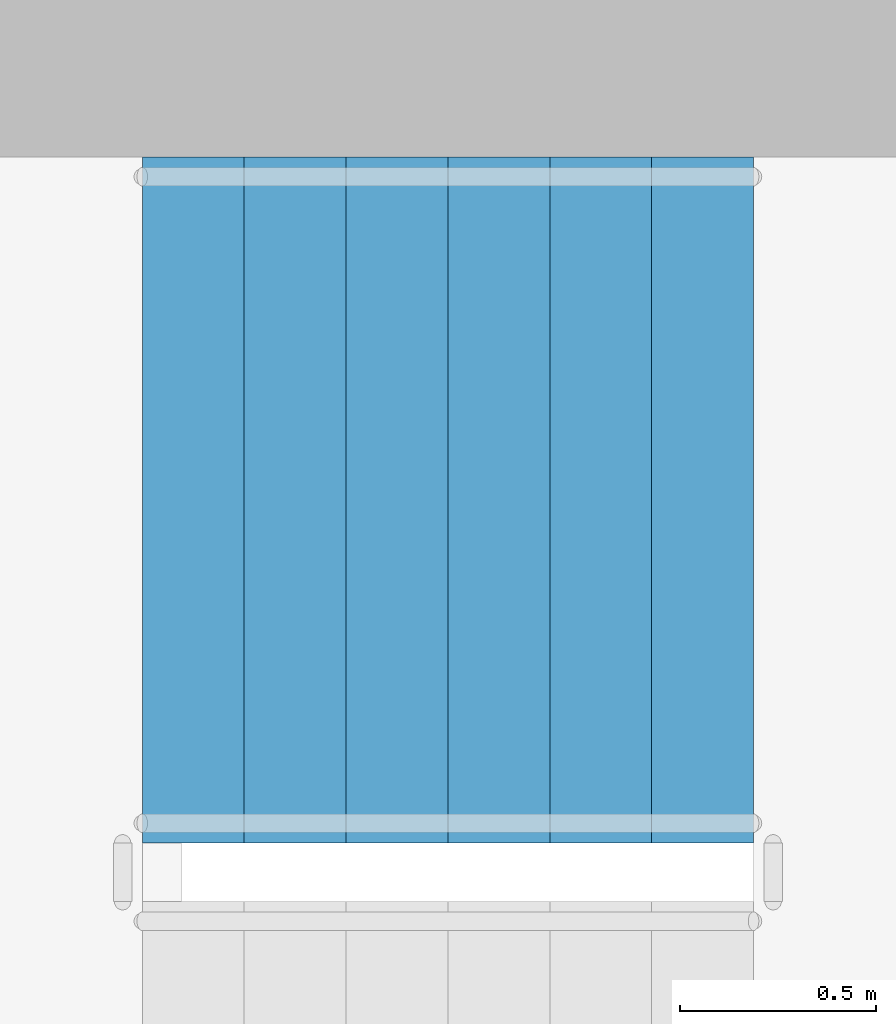
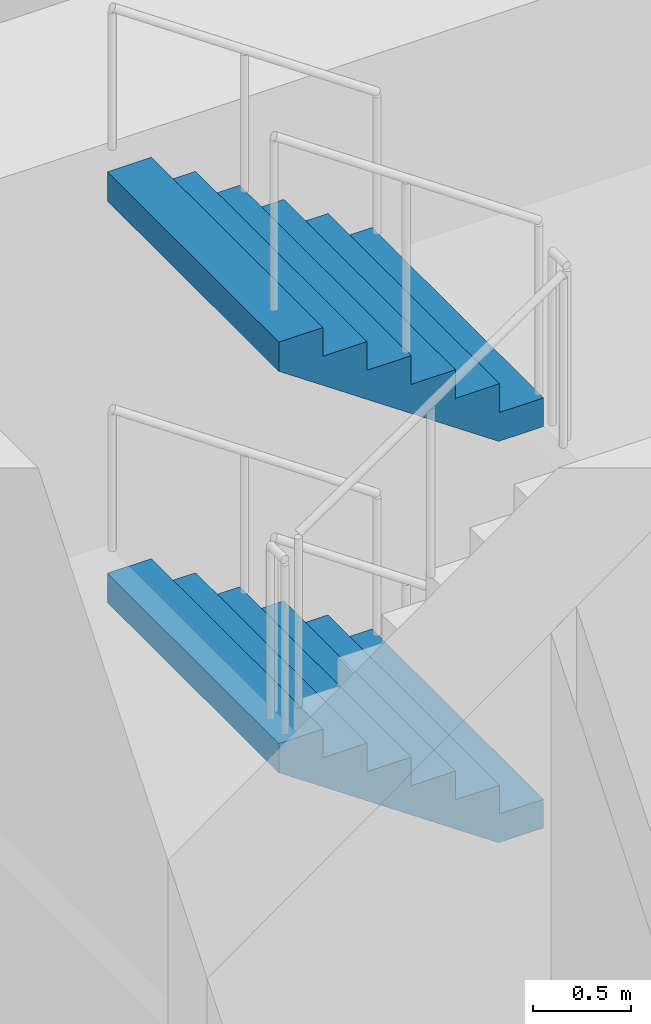
# One storey, part 33 of 59: 2 stair flights, 1 element without a shape of its own.
"""IFC4 building model written with IfcOpenShell, lengths in metres."""

import ifcopenshell
import ifcopenshell.guid

model = None  # the IFC model being written
_history = None  # IfcOwnerHistory: only IFC2X3 demands one
_inside = {}  # id of a spatial element -> (the spatial element, [elements in it])
_under = {}  # id of a project, library or spatial element -> (it, [spatial elements below it])
_declared = {}  # id of a project -> (the project, [libraries it declares])
_typed = {}  # id of a type object -> (the type object, [elements of that type])
_made_of = {}  # id of a material, layer set ... -> (it, [elements and type objects made of it])


def new_model(schema):
    """Start an empty IFC model of exactly this schema.

    Asked for "IFC4X3", IfcOpenShell would pick the latest addendum, in which some entities
    have other attributes; the version numbers below select the first issue.
    IFC2X3 requires an IfcOwnerHistory on every rooted entity: one is made here for all.
    """
    global model, _history
    if schema == "IFC4X3":
        model = ifcopenshell.file(schema_version=(4, 3, 0, 0))
    else:
        model = ifcopenshell.file(schema=schema)
    _inside.clear()
    _under.clear()
    _declared.clear()
    _typed.clear()
    _made_of.clear()
    _history = None
    if model.schema == "IFC2X3":
        org = make("IfcOrganization", Name="unknown")
        user = make(
            "IfcPersonAndOrganization",
            ThePerson=make("IfcPerson", FamilyName="unknown"),
            TheOrganization=org,
        )
        app = make(
            "IfcApplication",
            ApplicationDeveloper=org,
            Version="unknown",
            ApplicationFullName="unknown",
            ApplicationIdentifier="unknown",
        )
        _history = make(
            "IfcOwnerHistory",
            OwningUser=user,
            OwningApplication=app,
            ChangeAction="ADDED",
            CreationDate=0,
        )
    return model


def make(cls, **values):
    """One entity of the class cls with the attributes given. An attribute that is None is left unset."""
    return model.create_entity(
        cls, **{name: value for name, value in values.items() if value is not None}
    )


def rooted(cls, **values):
    """An entity with a GlobalId (a new one), such as an element, a storey or a relation."""
    return make(cls, GlobalId=ifcopenshell.guid.new(), OwnerHistory=_history, **values)


def si_unit(unit_type, name, prefix=None):
    """IfcSIUnit, for example si_unit("LENGTHUNIT", "METRE", prefix="MILLI")."""
    return make("IfcSIUnit", UnitType=unit_type, Prefix=prefix, Name=name)


def assignment(units):
    """IfcUnitAssignment: the units of a project."""
    return None if units is None else make("IfcUnitAssignment", Units=units)


def point(xyz):
    """IfcCartesianPoint."""
    return None if xyz is None else make("IfcCartesianPoint", Coordinates=xyz)


def direction(xyz):
    """IfcDirection."""
    return None if xyz is None else make("IfcDirection", DirectionRatios=xyz)


def frame(location, z_axis=None, x_axis=None):
    """IfcAxis2Placement3D, a coordinate frame: its origin and axes. An axis left out is left unset."""
    return make(
        "IfcAxis2Placement3D",
        Location=point(location),
        Axis=direction(z_axis),
        RefDirection=direction(x_axis),
    )


def origin():
    """The frame at (0, 0, 0) with its axes left unset."""
    return frame((0.0, 0.0, 0.0))


def place(relative_to, where):
    """IfcLocalPlacement: puts the frame where relative to a parent placement (None: the world)."""
    return make(
        "IfcLocalPlacement", PlacementRelTo=relative_to, RelativePlacement=where
    )


def context(
    kind, dimensions, precision=None, world=None, true_north=None, identifier=None
):
    """IfcGeometricRepresentationContext, for example the 3D "Model" context."""
    return make(
        "IfcGeometricRepresentationContext",
        ContextIdentifier=identifier,
        ContextType=kind,
        CoordinateSpaceDimension=dimensions,
        Precision=precision,
        WorldCoordinateSystem=world,
        TrueNorth=true_north,
    )


def subcontext(parent, identifier, kind, view, scale=None):
    """IfcGeometricRepresentationSubContext, for example "Body" below "Model"."""
    return make(
        "IfcGeometricRepresentationSubContext",
        ContextIdentifier=identifier,
        ContextType=kind,
        ParentContext=parent,
        TargetScale=scale,
        TargetView=view,
    )


def project(units=None, contexts=None):
    """IfcProject with its units and contexts."""
    return rooted(
        "IfcProject",
        Name="project",
        RepresentationContexts=contexts,
        UnitsInContext=assignment(units),
    )


def spatial(cls, under=None, at=None, **own):
    """A site, building, storey or space (cls), placed at a placement, below another one or the project."""
    s = rooted(cls, ObjectPlacement=at, **own)
    if under is not None:
        _under.setdefault(under.id(), (under, []))[1].append(s)
    return s


def faces_of(points, faces, orient=None, outer=None):
    """IfcFace entities. A face is a list of loops; a loop is a list of indices into points, from 0.

    orient and outer hold one flag for each loop. By default every Orientation is true, the
    first loop of a face is its IfcFaceOuterBound and the others are IfcFaceBound.
    """
    made = []
    for i, loops in enumerate(faces):
        bounds = []
        for j, loop in enumerate(loops):
            is_outer = j == 0 if outer is None else outer[i][j]
            bounds.append(
                make(
                    "IfcFaceOuterBound" if is_outer else "IfcFaceBound",
                    Bound=make("IfcPolyLoop", Polygon=[points[k] for k in loop]),
                    Orientation=True if orient is None else orient[i][j],
                )
            )
        made.append(make("IfcFace", Bounds=bounds))
    return made


def faceted_brep(points, faces, orient=None, outer=None, voids=None):
    """IfcFacetedBrep: a solid bounded by flat faces; with voids (closed shells), ...WithVoids."""
    shared = [point(p) for p in points]
    hull = make("IfcClosedShell", CfsFaces=faces_of(shared, faces, orient, outer))
    if voids is None:
        return make("IfcFacetedBrep", Outer=hull)
    return make(
        "IfcFacetedBrepWithVoids",
        Outer=hull,
        Voids=[
            make(cls, CfsFaces=faces_of(shared, fs, o, b)) for cls, fs, o, b in voids
        ],
    )


def shape(context_of_items, identifier, shape_type, items):
    """IfcShapeRepresentation: the items that make up one representation, for example the "Body"."""
    return make(
        "IfcShapeRepresentation",
        ContextOfItems=context_of_items,
        RepresentationIdentifier=identifier,
        RepresentationType=shape_type,
        Items=items,
    )


def material(Name=None, Category=None):
    """IfcMaterial."""
    return make("IfcMaterial", Name=Name, Category=Category)


def made_of(thing, what):
    """Note that an element or type object is made of a material, layer set ...; save() writes the relation."""
    if what is not None:
        _made_of.setdefault(what.id(), (what, []))[1].append(thing)
    return thing


def type_object(cls, material=None, **own):
    """A type object (cls), such as IfcWallType, which elements share."""
    return made_of(rooted(cls, **own), material)


def element(
    cls,
    number,
    at=None,
    inside=None,
    cuts=None,
    type_object=None,
    material=None,
    context=None,
    identifier="Body",
    shape_type=None,
    held_by="IfcProductDefinitionShape",
    body=None,
    shapes=None,
    **own,
):
    """One element of the class cls, such as IfcWall. Its Tag is "e" and its number.

    at: its placement. inside: the storey or other place that contains it. cuts: it is an
    opening in that element (IfcRelVoidsElement). A single representation is given by context,
    identifier, shape_type and body (its items); several are given by shapes. held_by: the class
    of the entity that holds the representations. save() writes the other relations.
    """
    e = rooted(cls, Tag="e%d" % number, ObjectPlacement=at, **own)
    if body is not None:
        shapes = [shape(context, identifier, shape_type, body)]
    if shapes is not None:
        e.Representation = make(held_by, Representations=shapes)
    if inside is not None:
        _inside.setdefault(inside.id(), (inside, []))[1].append(e)
    if cuts is not None:
        rooted(
            "IfcRelVoidsElement", RelatingBuildingElement=cuts, RelatedOpeningElement=e
        )
    if type_object is not None:
        _typed.setdefault(type_object.id(), (type_object, []))[1].append(e)
    return made_of(e, material)


def aggregate(whole, parts):
    """IfcRelAggregates: a whole, such as a stair, and the parts it consists of."""
    return rooted("IfcRelAggregates", RelatingObject=whole, RelatedObjects=parts)


def save(model, path):
    """Write the relations noted so far, then the file.

    IfcRelAggregates (storeys below a building ...), IfcRelContainedInSpatialStructure (elements
    in a storey), IfcRelDefinesByType, IfcRelAssociatesMaterial and IfcRelDeclares: one each for
    every whole, place, type object, material and project.
    """
    for whole, parts in _under.values():
        aggregate(whole, parts)
    for where, things in _inside.values():
        rooted(
            "IfcRelContainedInSpatialStructure",
            RelatedElements=things,
            RelatingStructure=where,
        )
    for kind, things in _typed.values():
        rooted("IfcRelDefinesByType", RelatedObjects=things, RelatingType=kind)
    for what, things in _made_of.values():
        rooted("IfcRelAssociatesMaterial", RelatedObjects=things, RelatingMaterial=what)
    for by, libraries in _declared.values():
        rooted("IfcRelDeclares", RelatingContext=by, RelatedDefinitions=libraries)
    model.write(path)


model = new_model("IFC4")

# Units and contexts
model_context = context("Model", 3, precision=1e-05, world=origin(), true_north=direction((0.0, 1.0)))
body_context = subcontext(model_context, "Body", "Model", "MODEL_VIEW")
ifc_project = project(units=[si_unit("LENGTHUNIT", "METRE"), si_unit("AREAUNIT", "SQUARE_METRE"), si_unit("VOLUMEUNIT", "CUBIC_METRE"), si_unit("PLANEANGLEUNIT", "RADIAN"), si_unit("MASSUNIT", "GRAM", prefix="KILO")], contexts=[model_context])

# Site, building, storey
site_placement = place(None, origin())
site = spatial("IfcSite", under=ifc_project, at=site_placement, CompositionType="ELEMENT")
building_placement = place(site_placement, origin())
building = spatial("IfcBuilding", under=site, at=building_placement, Name="Ipe Terrace Towers", CompositionType="ELEMENT")
storey_placement = place(building_placement, frame((0.0, 0.0, 6.0)))
storey = spatial("IfcBuildingStorey", under=building, at=storey_placement, Name="L01", CompositionType="ELEMENT", Elevation=6.0)

# Stair, stair flights
ifc_material_1 = material(Name="Concrete C30/37", Category="concrete")
stair_type = type_object("IfcStairType", Name="Protected exit stair", PredefinedType="HALF_TURN_STAIR", material=ifc_material_1)
stair_placement = place(storey_placement, origin())
stair = element("IfcStair", 1, at=stair_placement, inside=storey, type_object=stair_type, Name="L01 Exit stair T1-C1", PredefinedType="HALF_TURN_STAIR")
ifc_material_2 = material(Name="Concrete C30/37", Category="concrete")
stair_flight_type = type_object("IfcStairFlightType", Name="Exit stair flight 1750", PredefinedType="STRAIGHT", material=ifc_material_2)
stair_flight_1_placement = place(storey_placement, frame((-24.739990234375, 4.675048828125, 1.25), z_axis=(0.0, 0.0, 1.0), x_axis=(-1.0, 0.0, 0.0)))
stair_flight_1 = element("IfcStairFlight", 2, at=stair_flight_1_placement, type_object=stair_flight_type, Name="T1-ST1 flight 2", NumberOfRisers=7, NumberOfTreads=6, PredefinedType="STRAIGHT", RiserHeight=0.178571429, TreadLength=0.26, context=body_context, shape_type="Brep", body=[
    faceted_brep([(0.264892578125, -0.875, 0.0), (1.56005859375, -0.875, 0.8896484375), (1.56005859375, -0.875, 1.071533203125), (1.300048828125, -0.875, 1.071533203125), (1.300048828125, -0.875, 0.892822265625), (1.0400390625, -0.875, 0.892822265625), (1.0400390625, -0.875, 0.71435546875), (0.780029296875, -0.875, 0.71435546875), (0.780029296875, -0.875, 0.53564453125), (0.52001953125, -0.875, 0.53564453125), (0.52001953125, -0.875, 0.357177734375), (0.260009765625, -0.875, 0.357177734375), (0.260009765625, -0.875, 0.178466796875), (0.0, -0.875, 0.178466796875), (0.0, -0.875, 0.0), (0.0, 0.875, 0.0), (0.0, 0.875, 0.178466796875), (0.260009765625, 0.875, 0.178466796875), (0.260009765625, 0.875, 0.357177734375), (0.52001953125, 0.875, 0.357177734375), (0.52001953125, 0.875, 0.53564453125), (0.780029296875, 0.875, 0.53564453125), (0.780029296875, 0.875, 0.71435546875), (1.0400390625, 0.875, 0.71435546875), (1.0400390625, 0.875, 0.892822265625), (1.300048828125, 0.875, 0.892822265625), (1.300048828125, 0.875, 1.071533203125), (1.56005859375, 0.875, 1.071533203125), (1.56005859375, 0.875, 0.8896484375), (0.264892578125, 0.875, 0.0), (0.0, -0.300048828125, 0.178466796875), (0.0, -0.1201171875, 0.178466796875), (0.0, -0.06005859375, 0.178466796875), (0.0, -0.030029296875, 0.178466796875), (0.0, -0.010009765625, 0.178466796875), (0.0, 0.0, 0.178466796875), (0.0, 0.010009765625, 0.178466796875), (0.0, 0.030029296875, 0.178466796875), (0.0, 0.06005859375, 0.178466796875), (0.0, 0.1201171875, 0.178466796875), (0.0, 0.300048828125, 0.178466796875), (0.0, 0.300048828125, 0.0), (0.0, 0.1201171875, 0.0), (0.0, 0.06005859375, 0.0), (0.0, 0.030029296875, 0.0), (0.0, 0.010009765625, 0.0), (0.0, 0.0, 0.0), (0.0, -0.010009765625, 0.0), (0.0, -0.030029296875, 0.0), (0.0, -0.06005859375, 0.0), (0.0, -0.1201171875, 0.0), (0.0, -0.300048828125, 0.0), (0.260009765625, -0.300048828125, 0.178466796875), (0.260009765625, -0.1201171875, 0.178466796875), (0.260009765625, -0.06005859375, 0.178466796875), (0.260009765625, -0.030029296875, 0.178466796875), (0.260009765625, -0.010009765625, 0.178466796875), (0.260009765625, 0.0, 0.178466796875), (0.260009765625, 0.010009765625, 0.178466796875), (0.260009765625, 0.030029296875, 0.178466796875), (0.260009765625, 0.06005859375, 0.178466796875), (0.260009765625, 0.1201171875, 0.178466796875), (0.260009765625, 0.300048828125, 0.178466796875), (0.260009765625, -0.300048828125, 0.357177734375), (0.260009765625, -0.1201171875, 0.357177734375), (0.260009765625, -0.06005859375, 0.357177734375), (0.260009765625, -0.030029296875, 0.357177734375), (0.260009765625, -0.010009765625, 0.357177734375), (0.260009765625, 0.0, 0.357177734375), (0.260009765625, 0.010009765625, 0.357177734375), (0.260009765625, 0.030029296875, 0.357177734375), (0.260009765625, 0.06005859375, 0.357177734375), (0.260009765625, 0.1201171875, 0.357177734375), (0.260009765625, 0.300048828125, 0.357177734375), (0.52001953125, -0.300048828125, 0.357177734375), (0.52001953125, -0.1201171875, 0.357177734375), (0.52001953125, -0.06005859375, 0.357177734375), (0.52001953125, -0.030029296875, 0.357177734375), (0.52001953125, -0.010009765625, 0.357177734375), (0.52001953125, 0.0, 0.357177734375), (0.52001953125, 0.010009765625, 0.357177734375), (0.52001953125, 0.030029296875, 0.357177734375), (0.52001953125, 0.06005859375, 0.357177734375), (0.52001953125, 0.1201171875, 0.357177734375), (0.52001953125, 0.300048828125, 0.357177734375), (0.52001953125, -0.300048828125, 0.53564453125), (0.52001953125, -0.1201171875, 0.53564453125), (0.52001953125, -0.06005859375, 0.53564453125), (0.52001953125, -0.030029296875, 0.53564453125), (0.52001953125, -0.010009765625, 0.53564453125), (0.52001953125, 0.0, 0.53564453125), (0.52001953125, 0.010009765625, 0.53564453125), (0.52001953125, 0.030029296875, 0.53564453125), (0.52001953125, 0.06005859375, 0.53564453125), (0.52001953125, 0.1201171875, 0.53564453125), (0.52001953125, 0.300048828125, 0.53564453125), (0.780029296875, -0.300048828125, 0.53564453125), (0.780029296875, -0.1201171875, 0.53564453125), (0.780029296875, -0.06005859375, 0.53564453125), (0.780029296875, -0.030029296875, 0.53564453125), (0.780029296875, -0.010009765625, 0.53564453125), (0.780029296875, 0.0, 0.53564453125), (0.780029296875, 0.010009765625, 0.53564453125), (0.780029296875, 0.030029296875, 0.53564453125), (0.780029296875, 0.06005859375, 0.53564453125), (0.780029296875, 0.1201171875, 0.53564453125), (0.780029296875, 0.300048828125, 0.53564453125), (0.780029296875, -0.300048828125, 0.71435546875), (0.780029296875, -0.1201171875, 0.71435546875), (0.780029296875, -0.06005859375, 0.71435546875), (0.780029296875, -0.030029296875, 0.71435546875), (0.780029296875, -0.010009765625, 0.71435546875), (0.780029296875, 0.0, 0.71435546875), (0.780029296875, 0.010009765625, 0.71435546875), (0.780029296875, 0.030029296875, 0.71435546875), (0.780029296875, 0.06005859375, 0.71435546875), (0.780029296875, 0.1201171875, 0.71435546875), (0.780029296875, 0.300048828125, 0.71435546875), (1.0400390625, -0.300048828125, 0.71435546875), (1.0400390625, -0.1201171875, 0.71435546875), (1.0400390625, -0.06005859375, 0.71435546875), (1.0400390625, -0.030029296875, 0.71435546875), (1.0400390625, -0.010009765625, 0.71435546875), (1.0400390625, 0.0, 0.71435546875), (1.0400390625, 0.010009765625, 0.71435546875), (1.0400390625, 0.030029296875, 0.71435546875), (1.0400390625, 0.06005859375, 0.71435546875), (1.0400390625, 0.1201171875, 0.71435546875), (1.0400390625, 0.300048828125, 0.71435546875), (1.0400390625, -0.300048828125, 0.892822265625), (1.0400390625, -0.1201171875, 0.892822265625), (1.0400390625, -0.06005859375, 0.892822265625), (1.0400390625, -0.030029296875, 0.892822265625), (1.0400390625, -0.010009765625, 0.892822265625), (1.0400390625, 0.0, 0.892822265625), (1.0400390625, 0.010009765625, 0.892822265625), (1.0400390625, 0.030029296875, 0.892822265625), (1.0400390625, 0.06005859375, 0.892822265625), (1.0400390625, 0.1201171875, 0.892822265625), (1.0400390625, 0.300048828125, 0.892822265625), (1.300048828125, -0.300048828125, 0.892822265625), (1.300048828125, -0.1201171875, 0.892822265625), (1.300048828125, -0.06005859375, 0.892822265625), (1.300048828125, -0.030029296875, 0.892822265625), (1.300048828125, -0.010009765625, 0.892822265625), (1.300048828125, 0.0, 0.892822265625), (1.300048828125, 0.010009765625, 0.892822265625), (1.300048828125, 0.030029296875, 0.892822265625), (1.300048828125, 0.06005859375, 0.892822265625), (1.300048828125, 0.1201171875, 0.892822265625), (1.300048828125, 0.300048828125, 0.892822265625), (1.300048828125, -0.300048828125, 1.071533203125), (1.300048828125, -0.1201171875, 1.071533203125), (1.300048828125, -0.06005859375, 1.071533203125), (1.300048828125, -0.030029296875, 1.071533203125), (1.300048828125, -0.010009765625, 1.071533203125), (1.300048828125, 0.0, 1.071533203125), (1.300048828125, 0.010009765625, 1.071533203125), (1.300048828125, 0.030029296875, 1.071533203125), (1.300048828125, 0.06005859375, 1.071533203125), (1.300048828125, 0.1201171875, 1.071533203125), (1.300048828125, 0.300048828125, 1.071533203125), (1.56005859375, -0.300048828125, 1.071533203125), (1.56005859375, -0.1201171875, 1.071533203125), (1.56005859375, -0.06005859375, 1.071533203125), (1.56005859375, -0.030029296875, 1.071533203125), (1.56005859375, -0.010009765625, 1.071533203125), (1.56005859375, 0.0, 1.071533203125), (1.56005859375, 0.010009765625, 1.071533203125), (1.56005859375, 0.030029296875, 1.071533203125), (1.56005859375, 0.06005859375, 1.071533203125), (1.56005859375, 0.1201171875, 1.071533203125), (1.56005859375, 0.300048828125, 1.071533203125), (1.56005859375, -0.300048828125, 0.8896484375), (1.56005859375, -0.1201171875, 0.8896484375), (1.56005859375, -0.06005859375, 0.8896484375), (1.56005859375, -0.030029296875, 0.8896484375), (1.56005859375, -0.010009765625, 0.8896484375), (1.56005859375, 0.0, 0.8896484375), (1.56005859375, 0.010009765625, 0.8896484375), (1.56005859375, 0.030029296875, 0.8896484375), (1.56005859375, 0.06005859375, 0.8896484375), (1.56005859375, 0.1201171875, 0.8896484375), (1.56005859375, 0.300048828125, 0.8896484375), (0.264892578125, -0.300048828125, 0.0), (0.264892578125, -0.1201171875, 0.0), (0.264892578125, -0.06005859375, 0.0), (0.264892578125, -0.030029296875, 0.0), (0.264892578125, -0.010009765625, 0.0), (0.264892578125, 0.0, 0.0), (0.264892578125, 0.010009765625, 0.0), (0.264892578125, 0.030029296875, 0.0), (0.264892578125, 0.06005859375, 0.0), (0.264892578125, 0.1201171875, 0.0), (0.264892578125, 0.300048828125, 0.0)], [[[0, 1, 2, 3, 4, 5, 6, 7, 8, 9, 10, 11, 12, 13, 14]], [[15, 16, 17, 18, 19, 20, 21, 22, 23, 24, 25, 26, 27, 28, 29]], [[13, 30, 31, 32, 33, 34, 35, 36, 37, 38, 39, 40, 16, 15, 41, 42, 43, 44, 45, 46, 47, 48, 49, 50, 51, 14]], [[12, 52, 53, 54, 55, 56, 57, 58, 59, 60, 61, 62, 17, 16, 40, 39, 38, 37, 36, 35, 34, 33, 32, 31, 30, 13]], [[11, 63, 64, 65, 66, 67, 68, 69, 70, 71, 72, 73, 18, 17, 62, 61, 60, 59, 58, 57, 56, 55, 54, 53, 52, 12]], [[10, 74, 75, 76, 77, 78, 79, 80, 81, 82, 83, 84, 19, 18, 73, 72, 71, 70, 69, 68, 67, 66, 65, 64, 63, 11]], [[9, 85, 86, 87, 88, 89, 90, 91, 92, 93, 94, 95, 20, 19, 84, 83, 82, 81, 80, 79, 78, 77, 76, 75, 74, 10]], [[8, 96, 97, 98, 99, 100, 101, 102, 103, 104, 105, 106, 21, 20, 95, 94, 93, 92, 91, 90, 89, 88, 87, 86, 85, 9]], [[7, 107, 108, 109, 110, 111, 112, 113, 114, 115, 116, 117, 22, 21, 106, 105, 104, 103, 102, 101, 100, 99, 98, 97, 96, 8]], [[6, 118, 119, 120, 121, 122, 123, 124, 125, 126, 127, 128, 23, 22, 117, 116, 115, 114, 113, 112, 111, 110, 109, 108, 107, 7]], [[5, 129, 130, 131, 132, 133, 134, 135, 136, 137, 138, 139, 24, 23, 128, 127, 126, 125, 124, 123, 122, 121, 120, 119, 118, 6]], [[4, 140, 141, 142, 143, 144, 145, 146, 147, 148, 149, 150, 25, 24, 139, 138, 137, 136, 135, 134, 133, 132, 131, 130, 129, 5]], [[3, 151, 152, 153, 154, 155, 156, 157, 158, 159, 160, 161, 26, 25, 150, 149, 148, 147, 146, 145, 144, 143, 142, 141, 140, 4]], [[2, 162, 163, 164, 165, 166, 167, 168, 169, 170, 171, 172, 27, 26, 161, 160, 159, 158, 157, 156, 155, 154, 153, 152, 151, 3]], [[1, 173, 174, 175, 176, 177, 178, 179, 180, 181, 182, 183, 28, 27, 172, 171, 170, 169, 168, 167, 166, 165, 164, 163, 162, 2]], [[0, 184, 185, 186, 187, 188, 189, 190, 191, 192, 193, 194, 29, 28, 183, 182, 181, 180, 179, 178, 177, 176, 175, 174, 173, 1]], [[14, 51, 50, 49, 48, 47, 46, 45, 44, 43, 42, 41, 15, 29, 194, 193, 192, 191, 190, 189, 188, 187, 186, 185, 184, 0]]]),
])
stair_flight_2_placement = place(storey_placement, frame((-24.739990234375, 4.675048828125, 3.75), z_axis=(0.0, 0.0, 1.0), x_axis=(-1.0, 0.0, 0.0)))
stair_flight_2 = element("IfcStairFlight", 3, at=stair_flight_2_placement, type_object=stair_flight_type, Name="T1-ST1 flight 4", NumberOfRisers=7, NumberOfTreads=6, PredefinedType="STRAIGHT", RiserHeight=0.178571429, TreadLength=0.26, context=body_context, shape_type="Brep", body=[
    faceted_brep([(0.264892578125, -0.875, 0.0), (1.56005859375, -0.875, 0.8896484375), (1.56005859375, -0.875, 1.071533203125), (1.300048828125, -0.875, 1.071533203125), (1.300048828125, -0.875, 0.892822265625), (1.0400390625, -0.875, 0.892822265625), (1.0400390625, -0.875, 0.71435546875), (0.780029296875, -0.875, 0.71435546875), (0.780029296875, -0.875, 0.53564453125), (0.52001953125, -0.875, 0.53564453125), (0.52001953125, -0.875, 0.357177734375), (0.260009765625, -0.875, 0.357177734375), (0.260009765625, -0.875, 0.178466796875), (0.0, -0.875, 0.178466796875), (0.0, -0.875, 0.0), (0.0, 0.875, 0.0), (0.0, 0.875, 0.178466796875), (0.260009765625, 0.875, 0.178466796875), (0.260009765625, 0.875, 0.357177734375), (0.52001953125, 0.875, 0.357177734375), (0.52001953125, 0.875, 0.53564453125), (0.780029296875, 0.875, 0.53564453125), (0.780029296875, 0.875, 0.71435546875), (1.0400390625, 0.875, 0.71435546875), (1.0400390625, 0.875, 0.892822265625), (1.300048828125, 0.875, 0.892822265625), (1.300048828125, 0.875, 1.071533203125), (1.56005859375, 0.875, 1.071533203125), (1.56005859375, 0.875, 0.8896484375), (0.264892578125, 0.875, 0.0), (0.0, -0.300048828125, 0.178466796875), (0.0, -0.1201171875, 0.178466796875), (0.0, -0.06005859375, 0.178466796875), (0.0, -0.030029296875, 0.178466796875), (0.0, -0.010009765625, 0.178466796875), (0.0, 0.0, 0.178466796875), (0.0, 0.010009765625, 0.178466796875), (0.0, 0.030029296875, 0.178466796875), (0.0, 0.06005859375, 0.178466796875), (0.0, 0.1201171875, 0.178466796875), (0.0, 0.300048828125, 0.178466796875), (0.0, 0.300048828125, 0.0), (0.0, 0.1201171875, 0.0), (0.0, 0.06005859375, 0.0), (0.0, 0.030029296875, 0.0), (0.0, 0.010009765625, 0.0), (0.0, 0.0, 0.0), (0.0, -0.010009765625, 0.0), (0.0, -0.030029296875, 0.0), (0.0, -0.06005859375, 0.0), (0.0, -0.1201171875, 0.0), (0.0, -0.300048828125, 0.0), (0.260009765625, -0.300048828125, 0.178466796875), (0.260009765625, -0.1201171875, 0.178466796875), (0.260009765625, -0.06005859375, 0.178466796875), (0.260009765625, -0.030029296875, 0.178466796875), (0.260009765625, -0.010009765625, 0.178466796875), (0.260009765625, 0.0, 0.178466796875), (0.260009765625, 0.010009765625, 0.178466796875), (0.260009765625, 0.030029296875, 0.178466796875), (0.260009765625, 0.06005859375, 0.178466796875), (0.260009765625, 0.1201171875, 0.178466796875), (0.260009765625, 0.300048828125, 0.178466796875), (0.260009765625, -0.300048828125, 0.357177734375), (0.260009765625, -0.1201171875, 0.357177734375), (0.260009765625, -0.06005859375, 0.357177734375), (0.260009765625, -0.030029296875, 0.357177734375), (0.260009765625, -0.010009765625, 0.357177734375), (0.260009765625, 0.0, 0.357177734375), (0.260009765625, 0.010009765625, 0.357177734375), (0.260009765625, 0.030029296875, 0.357177734375), (0.260009765625, 0.06005859375, 0.357177734375), (0.260009765625, 0.1201171875, 0.357177734375), (0.260009765625, 0.300048828125, 0.357177734375), (0.52001953125, -0.300048828125, 0.357177734375), (0.52001953125, -0.1201171875, 0.357177734375), (0.52001953125, -0.06005859375, 0.357177734375), (0.52001953125, -0.030029296875, 0.357177734375), (0.52001953125, -0.010009765625, 0.357177734375), (0.52001953125, 0.0, 0.357177734375), (0.52001953125, 0.010009765625, 0.357177734375), (0.52001953125, 0.030029296875, 0.357177734375), (0.52001953125, 0.06005859375, 0.357177734375), (0.52001953125, 0.1201171875, 0.357177734375), (0.52001953125, 0.300048828125, 0.357177734375), (0.52001953125, -0.300048828125, 0.53564453125), (0.52001953125, -0.1201171875, 0.53564453125), (0.52001953125, -0.06005859375, 0.53564453125), (0.52001953125, -0.030029296875, 0.53564453125), (0.52001953125, -0.010009765625, 0.53564453125), (0.52001953125, 0.0, 0.53564453125), (0.52001953125, 0.010009765625, 0.53564453125), (0.52001953125, 0.030029296875, 0.53564453125), (0.52001953125, 0.06005859375, 0.53564453125), (0.52001953125, 0.1201171875, 0.53564453125), (0.52001953125, 0.300048828125, 0.53564453125), (0.780029296875, -0.300048828125, 0.53564453125), (0.780029296875, -0.1201171875, 0.53564453125), (0.780029296875, -0.06005859375, 0.53564453125), (0.780029296875, -0.030029296875, 0.53564453125), (0.780029296875, -0.010009765625, 0.53564453125), (0.780029296875, 0.0, 0.53564453125), (0.780029296875, 0.010009765625, 0.53564453125), (0.780029296875, 0.030029296875, 0.53564453125), (0.780029296875, 0.06005859375, 0.53564453125), (0.780029296875, 0.1201171875, 0.53564453125), (0.780029296875, 0.300048828125, 0.53564453125), (0.780029296875, -0.300048828125, 0.71435546875), (0.780029296875, -0.1201171875, 0.71435546875), (0.780029296875, -0.06005859375, 0.71435546875), (0.780029296875, -0.030029296875, 0.71435546875), (0.780029296875, -0.010009765625, 0.71435546875), (0.780029296875, 0.0, 0.71435546875), (0.780029296875, 0.010009765625, 0.71435546875), (0.780029296875, 0.030029296875, 0.71435546875), (0.780029296875, 0.06005859375, 0.71435546875), (0.780029296875, 0.1201171875, 0.71435546875), (0.780029296875, 0.300048828125, 0.71435546875), (1.0400390625, -0.300048828125, 0.71435546875), (1.0400390625, -0.1201171875, 0.71435546875), (1.0400390625, -0.06005859375, 0.71435546875), (1.0400390625, -0.030029296875, 0.71435546875), (1.0400390625, -0.010009765625, 0.71435546875), (1.0400390625, 0.0, 0.71435546875), (1.0400390625, 0.010009765625, 0.71435546875), (1.0400390625, 0.030029296875, 0.71435546875), (1.0400390625, 0.06005859375, 0.71435546875), (1.0400390625, 0.1201171875, 0.71435546875), (1.0400390625, 0.300048828125, 0.71435546875), (1.0400390625, -0.300048828125, 0.892822265625), (1.0400390625, -0.1201171875, 0.892822265625), (1.0400390625, -0.06005859375, 0.892822265625), (1.0400390625, -0.030029296875, 0.892822265625), (1.0400390625, -0.010009765625, 0.892822265625), (1.0400390625, 0.0, 0.892822265625), (1.0400390625, 0.010009765625, 0.892822265625), (1.0400390625, 0.030029296875, 0.892822265625), (1.0400390625, 0.06005859375, 0.892822265625), (1.0400390625, 0.1201171875, 0.892822265625), (1.0400390625, 0.300048828125, 0.892822265625), (1.300048828125, -0.300048828125, 0.892822265625), (1.300048828125, -0.1201171875, 0.892822265625), (1.300048828125, -0.06005859375, 0.892822265625), (1.300048828125, -0.030029296875, 0.892822265625), (1.300048828125, -0.010009765625, 0.892822265625), (1.300048828125, 0.0, 0.892822265625), (1.300048828125, 0.010009765625, 0.892822265625), (1.300048828125, 0.030029296875, 0.892822265625), (1.300048828125, 0.06005859375, 0.892822265625), (1.300048828125, 0.1201171875, 0.892822265625), (1.300048828125, 0.300048828125, 0.892822265625), (1.300048828125, -0.300048828125, 1.071533203125), (1.300048828125, -0.1201171875, 1.071533203125), (1.300048828125, -0.06005859375, 1.071533203125), (1.300048828125, -0.030029296875, 1.071533203125), (1.300048828125, -0.010009765625, 1.071533203125), (1.300048828125, 0.0, 1.071533203125), (1.300048828125, 0.010009765625, 1.071533203125), (1.300048828125, 0.030029296875, 1.071533203125), (1.300048828125, 0.06005859375, 1.071533203125), (1.300048828125, 0.1201171875, 1.071533203125), (1.300048828125, 0.300048828125, 1.071533203125), (1.56005859375, -0.300048828125, 1.071533203125), (1.56005859375, -0.1201171875, 1.071533203125), (1.56005859375, -0.06005859375, 1.071533203125), (1.56005859375, -0.030029296875, 1.071533203125), (1.56005859375, -0.010009765625, 1.071533203125), (1.56005859375, 0.0, 1.071533203125), (1.56005859375, 0.010009765625, 1.071533203125), (1.56005859375, 0.030029296875, 1.071533203125), (1.56005859375, 0.06005859375, 1.071533203125), (1.56005859375, 0.1201171875, 1.071533203125), (1.56005859375, 0.300048828125, 1.071533203125), (1.56005859375, -0.300048828125, 0.8896484375), (1.56005859375, -0.1201171875, 0.8896484375), (1.56005859375, -0.06005859375, 0.8896484375), (1.56005859375, -0.030029296875, 0.8896484375), (1.56005859375, -0.010009765625, 0.8896484375), (1.56005859375, 0.0, 0.8896484375), (1.56005859375, 0.010009765625, 0.8896484375), (1.56005859375, 0.030029296875, 0.8896484375), (1.56005859375, 0.06005859375, 0.8896484375), (1.56005859375, 0.1201171875, 0.8896484375), (1.56005859375, 0.300048828125, 0.8896484375), (0.264892578125, -0.300048828125, 0.0), (0.264892578125, -0.1201171875, 0.0), (0.264892578125, -0.06005859375, 0.0), (0.264892578125, -0.030029296875, 0.0), (0.264892578125, -0.010009765625, 0.0), (0.264892578125, 0.0, 0.0), (0.264892578125, 0.010009765625, 0.0), (0.264892578125, 0.030029296875, 0.0), (0.264892578125, 0.06005859375, 0.0), (0.264892578125, 0.1201171875, 0.0), (0.264892578125, 0.300048828125, 0.0)], [[[0, 1, 2, 3, 4, 5, 6, 7, 8, 9, 10, 11, 12, 13, 14]], [[15, 16, 17, 18, 19, 20, 21, 22, 23, 24, 25, 26, 27, 28, 29]], [[13, 30, 31, 32, 33, 34, 35, 36, 37, 38, 39, 40, 16, 15, 41, 42, 43, 44, 45, 46, 47, 48, 49, 50, 51, 14]], [[12, 52, 53, 54, 55, 56, 57, 58, 59, 60, 61, 62, 17, 16, 40, 39, 38, 37, 36, 35, 34, 33, 32, 31, 30, 13]], [[11, 63, 64, 65, 66, 67, 68, 69, 70, 71, 72, 73, 18, 17, 62, 61, 60, 59, 58, 57, 56, 55, 54, 53, 52, 12]], [[10, 74, 75, 76, 77, 78, 79, 80, 81, 82, 83, 84, 19, 18, 73, 72, 71, 70, 69, 68, 67, 66, 65, 64, 63, 11]], [[9, 85, 86, 87, 88, 89, 90, 91, 92, 93, 94, 95, 20, 19, 84, 83, 82, 81, 80, 79, 78, 77, 76, 75, 74, 10]], [[8, 96, 97, 98, 99, 100, 101, 102, 103, 104, 105, 106, 21, 20, 95, 94, 93, 92, 91, 90, 89, 88, 87, 86, 85, 9]], [[7, 107, 108, 109, 110, 111, 112, 113, 114, 115, 116, 117, 22, 21, 106, 105, 104, 103, 102, 101, 100, 99, 98, 97, 96, 8]], [[6, 118, 119, 120, 121, 122, 123, 124, 125, 126, 127, 128, 23, 22, 117, 116, 115, 114, 113, 112, 111, 110, 109, 108, 107, 7]], [[5, 129, 130, 131, 132, 133, 134, 135, 136, 137, 138, 139, 24, 23, 128, 127, 126, 125, 124, 123, 122, 121, 120, 119, 118, 6]], [[4, 140, 141, 142, 143, 144, 145, 146, 147, 148, 149, 150, 25, 24, 139, 138, 137, 136, 135, 134, 133, 132, 131, 130, 129, 5]], [[3, 151, 152, 153, 154, 155, 156, 157, 158, 159, 160, 161, 26, 25, 150, 149, 148, 147, 146, 145, 144, 143, 142, 141, 140, 4]], [[2, 162, 163, 164, 165, 166, 167, 168, 169, 170, 171, 172, 27, 26, 161, 160, 159, 158, 157, 156, 155, 154, 153, 152, 151, 3]], [[1, 173, 174, 175, 176, 177, 178, 179, 180, 181, 182, 183, 28, 27, 172, 171, 170, 169, 168, 167, 166, 165, 164, 163, 162, 2]], [[0, 184, 185, 186, 187, 188, 189, 190, 191, 192, 193, 194, 29, 28, 183, 182, 181, 180, 179, 178, 177, 176, 175, 174, 173, 1]], [[14, 51, 50, 49, 48, 47, 46, 45, 44, 43, 42, 41, 15, 29, 194, 193, 192, 191, 190, 189, 188, 187, 186, 185, 184, 0]]]),
])
aggregate(stair, [stair_flight_1, stair_flight_2])

save(model, "model.ifc")
